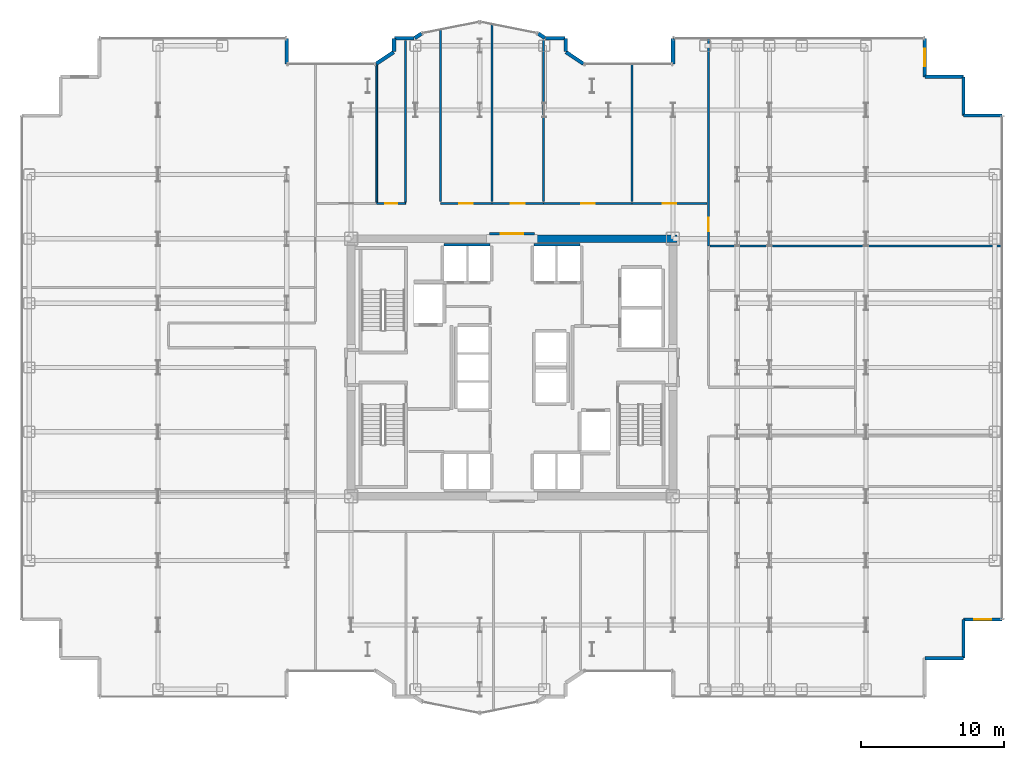
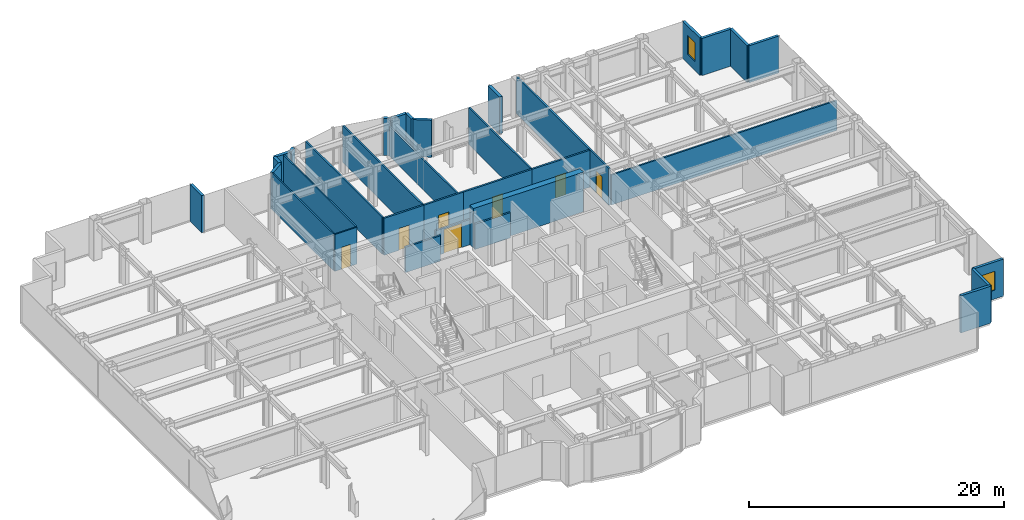
# One storey, part 24 of 26: 34 walls, 7 doors, 2 windows, 9 openings.
"""IFC4 building model written with IfcOpenShell, lengths in metres."""

from ifc_helpers import new_model, si_unit, direction, frame, frame_2d, origin, place, context, subcontext, project, spatial, rectangle, extrude, source, transform, mapped, material, layer, layer_set, type_object, element, fill, save


model = new_model("IFC4")

# Units and contexts
model_context = context("Model", 3, precision=1e-05, world=origin(), true_north=direction((0.0, 1.0)))
body_context = subcontext(model_context, "Body", "Model", "MODEL_VIEW")
ifc_project = project(units=[si_unit("LENGTHUNIT", "METRE"), si_unit("AREAUNIT", "SQUARE_METRE"), si_unit("VOLUMEUNIT", "CUBIC_METRE"), si_unit("PLANEANGLEUNIT", "RADIAN"), si_unit("MASSUNIT", "GRAM", prefix="KILO")], contexts=[model_context])

# Site, building, storey
site_placement = place(None, origin())
site = spatial("IfcSite", under=ifc_project, at=site_placement, CompositionType="ELEMENT")
building_placement = place(site_placement, origin())
building = spatial("IfcBuilding", under=site, at=building_placement, Name="Nefas-Gora Pilgrimage Tower", CompositionType="ELEMENT")
storey_placement = place(building_placement, frame((0.0, 0.0, 128.800048828125)))
storey = spatial("IfcBuildingStorey", under=building, at=storey_placement, Name="L31", CompositionType="ELEMENT", Elevation=128.800048828125)

# Walls
ifc_material_1 = material(Name="Concrete C60/75", Category="concrete")
ifc_layer_1 = layer(ifc_material_1, 0.550048828125)
ifc_layer_set_1 = layer_set([ifc_layer_1], Name="Concrete C60/75")
wall_type_1 = type_object("IfcWallType", Name="SW-CORE-550", PredefinedType="SHEAR", material=ifc_layer_set_1)
shared_shape_1 = source(origin(), body_context, "Body", "SweptSolid", [
    extrude(rectangle(XDim=9.974853515625, YDim=0.550048828125, at=frame_2d((4.9873046875, 0.0))), origin(), (0.0, 0.0, 1.0), 3.800048828125),
])
wall_1_placement = place(storey_placement, frame((1.550048828125, 9.0, 0.0), z_axis=(0.0, 0.0, 1.0), x_axis=(1.0, 0.0, 0.0)))
element("IfcWall", 1, at=wall_1_placement, inside=storey, type_object=wall_type_1, Name="L31 Core Shear Wall N-East", PredefinedType="SHEAR", context=body_context, shape_type="MappedRepresentation", body=[
    mapped(shared_shape_1, transform((0.0, 0.0, 0.0), x_axis=(1.0, 0.0, 0.0), y_axis=(0.0, 1.0, 0.0), z_axis=(0.0, 0.0, 1.0), scale=1.0)),
])
ifc_material_2 = material(Name="Precast concrete C40/50", Category="concrete")
ifc_layer_2 = layer(ifc_material_2, 0.260009765625)
ifc_layer_set_2 = layer_set([ifc_layer_2], Name="Precast concrete C40/50")
wall_type_2 = type_object("IfcWallType", Name="EW-PORTAL-260", PredefinedType="SOLIDWALL", material=ifc_layer_set_2)
shared_shape_2 = source(origin(), body_context, "Body", "SweptSolid", [
    extrude(rectangle(XDim=1.800048828125, YDim=0.260009765625, at=frame_2d((0.89990234375, 0.0))), origin(), (0.0, 0.0, 1.0), 3.550048828125),
])
for number, where, z_axis, x_axis, name in (
    (2, (11.25, 23.02001953125, 0.0), (0.0, 0.0, 1.0), (0.0, -1.0, 0.0), "L31 Lobe Shoulder Precast Spandrel Pier 10"),
    (3, (-15.75, 21.219970703125, 0.0), (0.0, 0.0, 1.0), (0.0, 1.0, 0.0), "L31 Lobe Shoulder Precast Spandrel Pier 19"),
):
    element("IfcWall", number, at=place(storey_placement, frame(where, z_axis=z_axis, x_axis=x_axis)), inside=storey, type_object=wall_type_2, Name=name, PredefinedType="SOLIDWALL", context=body_context, shape_type="MappedRepresentation", body=[
        mapped(shared_shape_2, transform((0.0, 0.0, 0.0), x_axis=(1.0, 0.0, 0.0), y_axis=(0.0, 1.0, 0.0), z_axis=(0.0, 0.0, 1.0), scale=1.0)),
    ])
ifc_material_3 = material(Name="Precast concrete C45/55", Category="concrete")
ifc_layer_3 = layer(ifc_material_3, 0.239990234375)
ifc_layer_set_3 = layer_set([ifc_layer_3], Name="Precast concrete C45/55")
wall_type_3 = type_object("IfcWallType", Name="EW-SERR-240", PredefinedType="SHEAR", material=ifc_layer_set_3)
shared_shape_3 = source(origin(), body_context, "Body", "SweptSolid", [
    extrude(rectangle(XDim=2.699951171875, YDim=0.239990234375, at=frame_2d((1.35009765625, 0.0))), origin(), (0.0, 0.0, 1.0), 3.550048828125),
])
for number, where, z_axis, x_axis, name in (
    (4, (28.8701171875, -20.320068359375, 0.0), (0.0, 0.0, 1.0), (1.0, 0.0, 0.0), "L31 Serrated Corner Shear Pier Wall 3"),
    (5, (31.570068359375, -20.320068359375, 0.0), (0.0, 0.0, 1.0), (0.0, 1.0, 0.0), "L31 Serrated Corner Shear Pier Wall 4"),
):
    element("IfcWall", number, at=place(storey_placement, frame(where, z_axis=z_axis, x_axis=x_axis)), inside=storey, type_object=wall_type_3, Name=name, PredefinedType="SHEAR", context=body_context, shape_type="MappedRepresentation", body=[
        mapped(shared_shape_3, transform((0.0, 0.0, 0.0), x_axis=(1.0, 0.0, 0.0), y_axis=(0.0, 1.0, 0.0), z_axis=(0.0, 0.0, 1.0), scale=1.0)),
    ])

# Wall, opening, window
wall_2_placement = place(storey_placement, frame((31.570068359375, -17.6201171875, 0.0), z_axis=(0.0, 0.0, 1.0), x_axis=(1.0, 0.0, 0.0)))
wall_2 = element("IfcWall", 6, at=wall_2_placement, inside=storey, type_object=wall_type_3, Name="L31 Serrated Corner Shear Pier Wall 5", PredefinedType="SHEAR", context=body_context, shape_type="MappedRepresentation", body=[
    mapped(shared_shape_3, transform((0.0, 0.0, 0.0), x_axis=(1.0, 0.0, 0.0), y_axis=(0.0, 1.0, 0.0), z_axis=(0.0, 0.0, 1.0), scale=1.0)),
])
opening_1_placement = place(wall_2_placement, frame((0.75, 0.0, 0.85009765625)))
opening_1 = element("IfcOpeningElement", 7, at=opening_1_placement, cuts=wall_2, Name="Opening W-V1", PredefinedType="OPENING", context=body_context, shape_type="SweptSolid", body=[
    extrude(rectangle(XDim=1.199951171875, YDim=1.800048828125, at=frame_2d((0.60009765625, 0.89990234375))), frame((0.0, 0.1298828125, 0.0), z_axis=(0.0, -1.0, 0.0), x_axis=(1.0, 0.0, 0.0)), (0.0, 0.0, 1.0), 0.260009765625),
])
ifc_material_4 = material(Name="Dark ceramic-fritted operable aluminium-glass window", Category="aluminium")
window_type = type_object("IfcWindowType", Name="WIN-VENT-1200x1800", PartitioningType="SINGLE_PANEL", PredefinedType="WINDOW", material=ifc_material_4)
shared_shape_4 = source(origin(), body_context, "Body", "SweptSolid", [
    extrude(rectangle(XDim=1.199951171875, YDim=1.800048828125, at=frame_2d((0.60009765625, 0.89990234375))), frame((0.0, 0.030029296875, 0.0), z_axis=(0.0, -1.0, 0.0), x_axis=(1.0, 0.0, 0.0)), (0.0, 0.0, 1.0), 0.06005859375),
])
window_1_placement = place(opening_1_placement, origin())
window_1 = element("IfcWindow", 8, at=window_1_placement, inside=storey, type_object=window_type, Name="L31 Operable Parallel-Outswing Window 5", OverallHeight=1.800048828125, OverallWidth=1.199951171875, PartitioningType="SINGLE_PANEL", PredefinedType="WINDOW", context=body_context, shape_type="MappedRepresentation", body=[
    mapped(shared_shape_4, transform((0.0, 0.0, 0.0), x_axis=(1.0, 0.0, 0.0), y_axis=(0.0, 1.0, 0.0), z_axis=(0.0, 0.0, 1.0), scale=1.0)),
])
fill(opening_1, window_1)

# Walls
for number, where, z_axis, x_axis, name in (
    (9, (34.27001953125, 17.6201171875, 0.0), (0.0, 0.0, 1.0), (-1.0, 0.0, 0.0), "L31 Serrated Corner Shear Pier Wall 6"),
    (10, (31.570068359375, 17.6201171875, 0.0), (0.0, 0.0, 1.0), (0.0, 1.0, 0.0), "L31 Serrated Corner Shear Pier Wall 7"),
    (11, (31.570068359375, 20.320068359375, 0.0), (0.0, 0.0, 1.0), (-1.0, 0.0, 0.0), "L31 Serrated Corner Shear Pier Wall 8"),
):
    element("IfcWall", number, at=place(storey_placement, frame(where, z_axis=z_axis, x_axis=x_axis)), inside=storey, type_object=wall_type_3, Name=name, PredefinedType="SHEAR", context=body_context, shape_type="MappedRepresentation", body=[
        mapped(shared_shape_3, transform((0.0, 0.0, 0.0), x_axis=(1.0, 0.0, 0.0), y_axis=(0.0, 1.0, 0.0), z_axis=(0.0, 0.0, 1.0), scale=1.0)),
    ])

# Wall, opening, window
wall_3_placement = place(storey_placement, frame((28.8701171875, 20.320068359375, 0.0), z_axis=(0.0, 0.0, 1.0), x_axis=(0.0, 1.0, 0.0)))
wall_3 = element("IfcWall", 12, at=wall_3_placement, inside=storey, type_object=wall_type_3, Name="L31 Serrated Corner Shear Pier Wall 9", PredefinedType="SHEAR", context=body_context, shape_type="MappedRepresentation", body=[
    mapped(shared_shape_3, transform((0.0, 0.0, 0.0), x_axis=(1.0, 0.0, 0.0), y_axis=(0.0, 1.0, 0.0), z_axis=(0.0, 0.0, 1.0), scale=1.0)),
])
opening_2_placement = place(wall_3_placement, frame((0.75, 0.0, 0.85009765625)))
opening_2 = element("IfcOpeningElement", 13, at=opening_2_placement, cuts=wall_3, Name="Opening W-V1", PredefinedType="OPENING", context=body_context, shape_type="SweptSolid", body=[
    extrude(rectangle(XDim=1.199951171875, YDim=1.800048828125, at=frame_2d((0.60009765625, 0.89990234375))), frame((0.0, 0.1298828125, 0.0), z_axis=(0.0, -1.0, 0.0), x_axis=(1.0, 0.0, 0.0)), (0.0, 0.0, 1.0), 0.260009765625),
])
window_2_placement = place(opening_2_placement, origin())
window_2 = element("IfcWindow", 14, at=window_2_placement, inside=storey, type_object=window_type, Name="L31 Operable Parallel-Outswing Window 9", OverallHeight=1.800048828125, OverallWidth=1.199951171875, PartitioningType="SINGLE_PANEL", PredefinedType="WINDOW", context=body_context, shape_type="MappedRepresentation", body=[
    mapped(shared_shape_4, transform((0.0, 0.0, 0.0), x_axis=(1.0, 0.0, 0.0), y_axis=(0.0, 1.0, 0.0), z_axis=(0.0, 0.0, 1.0), scale=1.0)),
])
fill(opening_2, window_2)

# Walls
shared_shape_5 = source(origin(), body_context, "Body", "SweptSolid", [
    extrude(rectangle(XDim=1.468994140625, YDim=0.260009765625, at=frame_2d((0.734375, 0.0))), origin(), (0.0, 0.0, 1.0), 3.550048828125),
])
for number, where, z_axis, x_axis, name in (
    (15, (4.99462890625, 21.235595703125, 0.0), (0.0, 0.0, 1.0), (-0.831461760506, 0.555581983884, 0.0), "L31 Lobe Shoulder Precast Spandrel Pier 11"),
    (16, (-8.273193359375, 22.0517578125, 0.0), (0.0, 0.0, 1.0), (-0.831461760506, -0.555581983884, 0.0), "L31 Lobe Shoulder Precast Spandrel Pier 18"),
):
    element("IfcWall", number, at=place(storey_placement, frame(where, z_axis=z_axis, x_axis=x_axis)), inside=storey, type_object=wall_type_2, Name=name, PredefinedType="SOLIDWALL", context=body_context, shape_type="MappedRepresentation", body=[
        mapped(shared_shape_5, transform((0.0, 0.0, 0.0), x_axis=(1.0, 0.0, 0.0), y_axis=(0.0, 1.0, 0.0), z_axis=(0.0, 0.0, 1.0), scale=1.0)),
    ])
shared_shape_6 = source(origin(), body_context, "Body", "SweptSolid", [
    extrude(rectangle(XDim=0.896728515625, YDim=0.260009765625, at=frame_2d((0.4482421875, 0.0))), origin(), (0.0, 0.0, 1.0), 3.550048828125),
])
for number, where, z_axis, x_axis, name in (
    (17, (3.75, 22.09521484375, 0.0), (0.0, 0.0, 1.0), (0.0, 1.0, 0.0), "L31 Lobe Shoulder Precast Spandrel Pier 12"),
    (18, (-8.25, 22.991943359375, 0.0), (0.0, 0.0, 1.0), (0.0, -1.0, 0.0), "L31 Lobe Shoulder Precast Spandrel Pier 17"),
):
    element("IfcWall", number, at=place(storey_placement, frame(where, z_axis=z_axis, x_axis=x_axis)), inside=storey, type_object=wall_type_2, Name=name, PredefinedType="SOLIDWALL", context=body_context, shape_type="MappedRepresentation", body=[
        mapped(shared_shape_6, transform((0.0, 0.0, 0.0), x_axis=(1.0, 0.0, 0.0), y_axis=(0.0, 1.0, 0.0), z_axis=(0.0, 0.0, 1.0), scale=1.0)),
    ])
shared_shape_7 = source(origin(), body_context, "Body", "SweptSolid", [
    extrude(rectangle(XDim=1.369873046875, YDim=0.260009765625, at=frame_2d((0.68505859375, 0.0))), origin(), (0.0, 0.0, 1.0), 3.550048828125),
])
for number, where, z_axis, x_axis, name in (
    (19, (3.721923828125, 23.02001953125, 0.0), (0.0, 0.0, 1.0), (-1.0, 0.0, 0.0), "L31 Lobe Shoulder Precast Spandrel Pier 13"),
    (20, (-6.85205078125, 23.02001953125, 0.0), (0.0, 0.0, 1.0), (-1.0, 0.0, 0.0), "L31 Lobe Shoulder Precast Spandrel Pier 16"),
):
    element("IfcWall", number, at=place(storey_placement, frame(where, z_axis=z_axis, x_axis=x_axis)), inside=storey, type_object=wall_type_2, Name=name, PredefinedType="SOLIDWALL", context=body_context, shape_type="MappedRepresentation", body=[
        mapped(shared_shape_7, transform((0.0, 0.0, 0.0), x_axis=(1.0, 0.0, 0.0), y_axis=(0.0, 1.0, 0.0), z_axis=(0.0, 0.0, 1.0), scale=1.0)),
    ])
shared_shape_8 = source(origin(), body_context, "Body", "SweptSolid", [
    extrude(rectangle(XDim=0.5654296875, YDim=0.260009765625, at=frame_2d((0.28271484375, 0.0))), origin(), (0.0, 0.0, 1.0), 3.550048828125),
])
for number, where, z_axis, x_axis, name in (
    (21, (2.30078125, 23.03564453125, 0.0), (0.0, 0.0, 1.0), (-0.831651492666, 0.555297933317, 0.0), "L31 Lobe Shoulder Precast Spandrel Pier 14"),
    (22, (-6.33056640625, 23.349609375, 0.0), (0.0, 0.0, 1.0), (-0.831651492666, -0.555297933317, 0.0), "L31 Lobe Shoulder Precast Spandrel Pier 15"),
):
    element("IfcWall", number, at=place(storey_placement, frame(where, z_axis=z_axis, x_axis=x_axis)), inside=storey, type_object=wall_type_2, Name=name, PredefinedType="SOLIDWALL", context=body_context, shape_type="MappedRepresentation", body=[
        mapped(shared_shape_8, transform((0.0, 0.0, 0.0), x_axis=(1.0, 0.0, 0.0), y_axis=(0.0, 1.0, 0.0), z_axis=(0.0, 0.0, 1.0), scale=1.0)),
    ])
ifc_material_5 = material(Name="Gypsum acoustic stud partition")
ifc_layer_4 = layer(ifc_material_5, 0.159912109375)
ifc_layer_set_4 = layer_set([ifc_layer_4], Name="Gypsum acoustic stud partition")
wall_type_4 = type_object("IfcWallType", Name="IW-CORR-160", PredefinedType="PARTITIONING", material=ifc_layer_set_4)
shared_shape_9 = source(origin(), body_context, "Body", "SweptSolid", [
    extrude(rectangle(XDim=3.199951171875, YDim=0.159912109375, at=frame_2d((1.60009765625, 0.0))), origin(), (0.0, 0.0, 1.0), 2.425048828125),
])
for number, where, z_axis, x_axis, name in (
    (23, (-1.550048828125, 8.580078125, 0.0), (0.0, 0.0, 1.0), (-1.0, 0.0, 0.0), "L31 Hoistway Wall PL1-W-N"),
    (24, (4.75, 8.580078125, 0.0), (0.0, 0.0, 1.0), (-1.0, 0.0, 0.0), "L31 Hoistway Wall PL1-E-N"),
):
    element("IfcWall", number, at=place(storey_placement, frame(where, z_axis=z_axis, x_axis=x_axis)), inside=storey, type_object=wall_type_4, Name=name, PredefinedType="PARTITIONING", context=body_context, shape_type="MappedRepresentation", body=[
        mapped(shared_shape_9, transform((0.0, 0.0, 0.0), x_axis=(1.0, 0.0, 0.0), y_axis=(0.0, 1.0, 0.0), z_axis=(0.0, 0.0, 1.0), scale=1.0)),
    ])

# Wall, opening, door
ifc_material_6 = material(Name="Moisture-resistant fire-rated gypsum partition")
ifc_layer_5 = layer(ifc_material_6, 0.1201171875)
ifc_layer_set_5 = layer_set([ifc_layer_5], Name="Moisture-resistant fire-rated gypsum partition")
wall_type_5 = type_object("IfcWallType", Name="IW-WET-120", PredefinedType="PLUMBINGWALL", material=ifc_layer_set_5)
shared_shape_10 = source(origin(), body_context, "Body", "SweptSolid", [
    extrude(rectangle(XDim=2.02001953125, YDim=0.1201171875, at=frame_2d((1.010009765625, 0.0))), origin(), (0.0, 0.0, 1.0), 3.534912109375),
])
wall_4_placement = place(storey_placement, frame((-9.4599609375, 11.469970703125, 0.0), z_axis=(0.0, 0.0, 1.0), x_axis=(1.0, 0.0, 0.0)))
wall_4 = element("IfcWall", 25, at=wall_4_placement, inside=storey, type_object=wall_type_5, Name="L31 Accessible Unisex WC Partition Wall 20", PredefinedType="PLUMBINGWALL", context=body_context, shape_type="MappedRepresentation", body=[
    mapped(shared_shape_10, transform((0.0, 0.0, 0.0), x_axis=(1.0, 0.0, 0.0), y_axis=(0.0, 1.0, 0.0), z_axis=(0.0, 0.0, 1.0), scale=1.0)),
])
opening_3_placement = place(wall_4_placement, frame((0.5849609375, 0.0, 0.0)))
opening_3 = element("IfcOpeningElement", 26, at=opening_3_placement, cuts=wall_4, Name="Opening ID-BT1", PredefinedType="OPENING", context=body_context, shape_type="SweptSolid", body=[
    extrude(rectangle(XDim=0.85009765625, YDim=2.10009765625, at=frame_2d((0.425048828125, 1.050048828125))), frame((0.0, 0.070068359375, 0.0), z_axis=(0.0, -1.0, 0.0), x_axis=(1.0, 0.0, 0.0)), (0.0, 0.0, 1.0), 0.14013671875),
])
ifc_material_7 = material(Name="Moisture-resistant fire-rated timber door", Category="wood")
door_type_1 = type_object("IfcDoorType", Name="DR-INT-BATH-850", OperationType="NOTDEFINED", PredefinedType="DOOR", material=ifc_material_7)
shared_shape_11 = source(origin(), body_context, "Body", "SweptSolid", [
    extrude(rectangle(XDim=0.85009765625, YDim=2.10009765625, at=frame_2d((0.425048828125, 1.050048828125))), frame((0.0, 0.02490234375, 0.0), z_axis=(0.0, -1.0, 0.0), x_axis=(1.0, 0.0, 0.0)), (0.0, 0.0, 1.0), 0.050048828125),
])
door_1_placement = place(opening_3_placement, origin())
door_1 = element("IfcDoor", 27, at=door_1_placement, inside=storey, type_object=door_type_1, Name="L31 Accessible Unisex WC Door 8", OperationType="SINGLE_SWING_RIGHT", OverallHeight=2.10009765625, OverallWidth=0.85009765625, PredefinedType="DOOR", context=body_context, shape_type="MappedRepresentation", body=[
    mapped(shared_shape_11, transform((0.0, 0.0, 0.0), x_axis=(1.0, 0.0, 0.0), y_axis=(0.0, 1.0, 0.0), z_axis=(0.0, 0.0, 1.0), scale=1.0)),
])
fill(opening_3, door_1)

# Walls
shared_shape_12 = source(origin(), body_context, "Body", "SweptSolid", [
    extrude(rectangle(XDim=11.280029296875, YDim=0.1201171875, at=frame_2d((5.64013671875, 0.0))), origin(), (0.0, 0.0, 1.0), 3.534912109375),
])
wall_5_placement = place(storey_placement, frame((-7.449951171875, 11.570068359375, 0.0), z_axis=(0.0, 0.0, 1.0), x_axis=(0.0, 1.0, 0.0)))
element("IfcWall", 28, at=wall_5_placement, inside=storey, type_object=wall_type_5, Name="L31 Accessible Unisex WC Partition Wall 21", PredefinedType="PLUMBINGWALL", context=body_context, shape_type="MappedRepresentation", body=[
    mapped(shared_shape_12, transform((0.0, 0.0, 0.0), x_axis=(1.0, 0.0, 0.0), y_axis=(0.0, 1.0, 0.0), z_axis=(0.0, 0.0, 1.0), scale=1.0)),
])
shared_shape_13 = source(origin(), body_context, "Body", "SweptSolid", [
    extrude(rectangle(XDim=9.586669921875, YDim=0.1201171875, at=frame_2d((4.79345703125, 0.0))), origin(), (0.0, 0.0, 1.0), 3.534912109375),
])
wall_6_placement = place(storey_placement, frame((-9.449951171875, 11.570068359375, 0.0), z_axis=(0.0, 0.0, 1.0), x_axis=(0.0, 1.0, 0.0)))
element("IfcWall", 29, at=wall_6_placement, inside=storey, type_object=wall_type_5, Name="L31 Accessible Unisex WC Partition Wall 22", PredefinedType="PLUMBINGWALL", context=body_context, shape_type="MappedRepresentation", body=[
    mapped(shared_shape_13, transform((0.0, 0.0, 0.0), x_axis=(1.0, 0.0, 0.0), y_axis=(0.0, 1.0, 0.0), z_axis=(0.0, 0.0, 1.0), scale=1.0)),
])

# Wall, opening, door
shared_shape_14 = source(origin(), body_context, "Body", "SweptSolid", [
    extrude(rectangle(XDim=14.544921875, YDim=0.159912109375, at=frame_2d((7.2724609375, 0.0))), origin(), (0.0, 0.0, 1.0), 3.534912109375),
])
wall_7_placement = place(storey_placement, frame((13.739990234375, 8.4951171875, 0.0), z_axis=(0.0, 0.0, 1.0), x_axis=(0.0, 1.0, 0.0)))
wall_7 = element("IfcWall", 30, at=wall_7_placement, inside=storey, type_object=wall_type_4, Name="L31 Pilgrim Contemplative Lounge Partition Wall 42", PredefinedType="PARTITIONING", context=body_context, shape_type="MappedRepresentation", body=[
    mapped(shared_shape_14, transform((0.0, 0.0, 0.0), x_axis=(1.0, 0.0, 0.0), y_axis=(0.0, 1.0, 0.0), z_axis=(0.0, 0.0, 1.0), scale=1.0)),
])
opening_4_placement = place(wall_7_placement, frame((1.032470703125, 0.0, 0.0)))
opening_4 = element("IfcOpeningElement", 31, at=opening_4_placement, cuts=wall_7, Name="Opening ID-GR1", PredefinedType="OPENING", context=body_context, shape_type="SweptSolid", body=[
    extrude(rectangle(XDim=0.949951171875, YDim=2.10009765625, at=frame_2d((0.47509765625, 1.050048828125))), frame((0.0, 0.08984375, 0.0), z_axis=(0.0, -1.0, 0.0), x_axis=(1.0, 0.0, 0.0)), (0.0, 0.0, 1.0), 0.179931640625),
])
ifc_material_8 = material(Name="Solid core oak fire-rated guest entrance door")
door_type_2 = type_object("IfcDoorType", Name="DR-INT-GUEST-950", OperationType="NOTDEFINED", PredefinedType="DOOR", material=ifc_material_8)
shared_shape_15 = source(origin(), body_context, "Body", "SweptSolid", [
    extrude(rectangle(XDim=0.949951171875, YDim=2.10009765625, at=frame_2d((0.47509765625, 1.050048828125))), frame((0.0, 0.02490234375, 0.0), z_axis=(0.0, -1.0, 0.0), x_axis=(1.0, 0.0, 0.0)), (0.0, 0.0, 1.0), 0.050048828125),
])
door_2_placement = place(opening_4_placement, origin())
door_2 = element("IfcDoor", 32, at=door_2_placement, inside=storey, type_object=door_type_2, Name="L31 Pilgrim Contemplative Lounge Door 17", OperationType="SINGLE_SWING_LEFT", OverallHeight=2.10009765625, OverallWidth=0.949951171875, PredefinedType="DOOR", context=body_context, shape_type="MappedRepresentation", body=[
    mapped(shared_shape_15, transform((0.0, 0.0, 0.0), x_axis=(1.0, 0.0, 0.0), y_axis=(0.0, 1.0, 0.0), z_axis=(0.0, 0.0, 1.0), scale=1.0)),
])
fill(opening_4, door_2)

# Walls
ifc_material_9 = material(Name="Gypsum twin-stud partition")
ifc_layer_6 = layer(ifc_material_9, 0.139892578125)
ifc_layer_set_6 = layer_set([ifc_layer_6], Name="Gypsum twin-stud partition")
wall_type_6 = type_object("IfcWallType", Name="IW-UNIT-140", PredefinedType="PARTITIONING", material=ifc_layer_set_6)
shared_shape_16 = source(origin(), body_context, "Body", "SweptSolid", [
    extrude(rectangle(XDim=12.056640625, YDim=0.139892578125, at=frame_2d((6.0283203125, 0.0))), origin(), (0.0, 0.0, 1.0), 3.534912109375),
])
wall_8_placement = place(storey_placement, frame((-4.9951171875, 11.590087890625, 0.0), z_axis=(0.0, 0.0, 1.0), x_axis=(0.0, 1.0, 0.0)))
element("IfcWall", 33, at=wall_8_placement, inside=storey, type_object=wall_type_6, Name="L31 Pilgrim Contemplative Lounge Partition Wall 46", PredefinedType="PARTITIONING", context=body_context, shape_type="MappedRepresentation", body=[
    mapped(shared_shape_16, transform((0.0, 0.0, 0.0), x_axis=(1.0, 0.0, 0.0), y_axis=(0.0, 1.0, 0.0), z_axis=(0.0, 0.0, 1.0), scale=1.0)),
])
shared_shape_17 = source(origin(), body_context, "Body", "SweptSolid", [
    extrude(rectangle(XDim=9.64990234375, YDim=0.139892578125, at=frame_2d((4.824951171875, 0.0))), origin(), (0.0, 0.0, 1.0), 3.534912109375),
])
wall_9_placement = place(storey_placement, frame((8.39501953125, 11.590087890625, 0.0), z_axis=(0.0, 0.0, 1.0), x_axis=(0.0, 1.0, 0.0)))
element("IfcWall", 34, at=wall_9_placement, inside=storey, type_object=wall_type_6, Name="L31 Pilgrim Contemplative Lounge Partition Wall 50", PredefinedType="PARTITIONING", context=body_context, shape_type="MappedRepresentation", body=[
    mapped(shared_shape_17, transform((0.0, 0.0, 0.0), x_axis=(1.0, 0.0, 0.0), y_axis=(0.0, 1.0, 0.0), z_axis=(0.0, 0.0, 1.0), scale=1.0)),
])

# Wall, opening, door
shared_shape_18 = source(origin(), body_context, "Body", "SweptSolid", [
    extrude(rectangle(XDim=3.60498046875, YDim=0.159912109375, at=frame_2d((1.802490234375, 0.0))), origin(), (0.0, 0.0, 1.0), 3.534912109375),
])
wall_10_placement = place(storey_placement, frame((-5.0048828125, 11.469970703125, 0.0), z_axis=(0.0, 0.0, 1.0), x_axis=(1.0, 0.0, 0.0)))
wall_10 = element("IfcWall", 35, at=wall_10_placement, inside=storey, type_object=wall_type_4, Name="L31 Pilgrim Contemplative Lounge Partition Wall 44", PredefinedType="PARTITIONING", context=body_context, shape_type="MappedRepresentation", body=[
    mapped(shared_shape_18, transform((0.0, 0.0, 0.0), x_axis=(1.0, 0.0, 0.0), y_axis=(0.0, 1.0, 0.0), z_axis=(0.0, 0.0, 1.0), scale=1.0)),
])
opening_5_placement = place(wall_10_placement, frame((1.327392578125, 0.0, 0.0)))
opening_5 = element("IfcOpeningElement", 36, at=opening_5_placement, cuts=wall_10, Name="Opening ID-GR1", PredefinedType="OPENING", context=body_context, shape_type="SweptSolid", body=[
    extrude(rectangle(XDim=0.949951171875, YDim=2.10009765625, at=frame_2d((0.47509765625, 1.050048828125))), frame((0.0, 0.08984375, 0.0), z_axis=(0.0, -1.0, 0.0), x_axis=(1.0, 0.0, 0.0)), (0.0, 0.0, 1.0), 0.179931640625),
])
door_3_placement = place(opening_5_placement, origin())
door_3 = element("IfcDoor", 37, at=door_3_placement, inside=storey, type_object=door_type_2, Name="L31 Pilgrim Contemplative Lounge Door 19", OperationType="SINGLE_SWING_LEFT", OverallHeight=2.10009765625, OverallWidth=0.949951171875, PredefinedType="DOOR", context=body_context, shape_type="MappedRepresentation", body=[
    mapped(shared_shape_15, transform((0.0, 0.0, 0.0), x_axis=(1.0, 0.0, 0.0), y_axis=(0.0, 1.0, 0.0), z_axis=(0.0, 0.0, 1.0), scale=1.0)),
])
fill(opening_5, door_3)

wall_11_placement = place(storey_placement, frame((-1.39990234375, 11.469970703125, 0.0), z_axis=(0.0, 0.0, 1.0), x_axis=(1.0, 0.0, 0.0)))
wall_11 = element("IfcWall", 38, at=wall_11_placement, inside=storey, type_object=wall_type_4, Name="L31 Pilgrim Contemplative Lounge Partition Wall 47", PredefinedType="PARTITIONING", context=body_context, shape_type="MappedRepresentation", body=[
    mapped(shared_shape_18, transform((0.0, 0.0, 0.0), x_axis=(1.0, 0.0, 0.0), y_axis=(0.0, 1.0, 0.0), z_axis=(0.0, 0.0, 1.0), scale=1.0)),
])
opening_6_placement = place(wall_11_placement, frame((1.327392578125, 0.0, 0.0)))
opening_6 = element("IfcOpeningElement", 39, at=opening_6_placement, cuts=wall_11, Name="Opening ID-GR1", PredefinedType="OPENING", context=body_context, shape_type="SweptSolid", body=[
    extrude(rectangle(XDim=0.949951171875, YDim=2.10009765625, at=frame_2d((0.47509765625, 1.050048828125))), frame((0.0, 0.08984375, 0.0), z_axis=(0.0, -1.0, 0.0), x_axis=(1.0, 0.0, 0.0)), (0.0, 0.0, 1.0), 0.179931640625),
])
door_4_placement = place(opening_6_placement, origin())
door_4 = element("IfcDoor", 40, at=door_4_placement, inside=storey, type_object=door_type_2, Name="L31 Pilgrim Contemplative Lounge Door 20", OperationType="SINGLE_SWING_RIGHT", OverallHeight=2.10009765625, OverallWidth=0.949951171875, PredefinedType="DOOR", context=body_context, shape_type="MappedRepresentation", body=[
    mapped(shared_shape_15, transform((0.0, 0.0, 0.0), x_axis=(1.0, 0.0, 0.0), y_axis=(0.0, 1.0, 0.0), z_axis=(0.0, 0.0, 1.0), scale=1.0)),
])
fill(opening_6, door_4)

shared_shape_19 = source(origin(), body_context, "Body", "SweptSolid", [
    extrude(rectangle(XDim=5.22509765625, YDim=0.159912109375, at=frame_2d((2.612548828125, 0.0))), origin(), (0.0, 0.0, 1.0), 3.534912109375),
])
wall_12_placement = place(storey_placement, frame((8.39501953125, 11.469970703125, 0.0), z_axis=(0.0, 0.0, 1.0), x_axis=(1.0, 0.0, 0.0)))
wall_12 = element("IfcWall", 41, at=wall_12_placement, inside=storey, type_object=wall_type_4, Name="L31 Pilgrim Contemplative Lounge Partition Wall 51", PredefinedType="PARTITIONING", context=body_context, shape_type="MappedRepresentation", body=[
    mapped(shared_shape_19, transform((0.0, 0.0, 0.0), x_axis=(1.0, 0.0, 0.0), y_axis=(0.0, 1.0, 0.0), z_axis=(0.0, 0.0, 1.0), scale=1.0)),
])
opening_7_placement = place(wall_12_placement, frame((2.137451171875, 0.0, 0.0)))
opening_7 = element("IfcOpeningElement", 42, at=opening_7_placement, cuts=wall_12, Name="Opening ID-GR1", PredefinedType="OPENING", context=body_context, shape_type="SweptSolid", body=[
    extrude(rectangle(XDim=0.949951171875, YDim=2.10009765625, at=frame_2d((0.47509765625, 1.050048828125))), frame((0.0, 0.08984375, 0.0), z_axis=(0.0, -1.0, 0.0), x_axis=(1.0, 0.0, 0.0)), (0.0, 0.0, 1.0), 0.179931640625),
])
door_5_placement = place(opening_7_placement, origin())
door_5 = element("IfcDoor", 43, at=door_5_placement, inside=storey, type_object=door_type_2, Name="L31 Pilgrim Contemplative Lounge Door 22", OperationType="SINGLE_SWING_RIGHT", OverallHeight=2.10009765625, OverallWidth=0.949951171875, PredefinedType="DOOR", context=body_context, shape_type="MappedRepresentation", body=[
    mapped(shared_shape_15, transform((0.0, 0.0, 0.0), x_axis=(1.0, 0.0, 0.0), y_axis=(0.0, 1.0, 0.0), z_axis=(0.0, 0.0, 1.0), scale=1.0)),
])
fill(opening_7, door_5)

shared_shape_20 = source(origin(), body_context, "Body", "SweptSolid", [
    extrude(rectangle(XDim=3.16015625, YDim=0.159912109375, at=frame_2d((1.580078125, 0.0))), origin(), (0.0, 0.0, 1.0), 2.425048828125),
])
wall_13_placement = place(storey_placement, frame((-1.580078125, 9.35009765625, 0.0), z_axis=(0.0, 0.0, 1.0), x_axis=(1.0, 0.0, 0.0)))
wall_13 = element("IfcWall", 44, at=wall_13_placement, inside=storey, type_object=wall_type_4, Name="L31 Central Lift Lobby North Portal Wall 13", PredefinedType="PARTITIONING", context=body_context, shape_type="MappedRepresentation", body=[
    mapped(shared_shape_20, transform((0.0, 0.0, 0.0), x_axis=(1.0, 0.0, 0.0), y_axis=(0.0, 1.0, 0.0), z_axis=(0.0, 0.0, 1.0), scale=1.0)),
])
opening_8_placement = place(wall_13_placement, frame((0.780029296875, 0.0, 0.0)))
opening_8 = element("IfcOpeningElement", 45, at=opening_8_placement, cuts=wall_13, Name="Opening ID-HL1", PredefinedType="OPENING", context=body_context, shape_type="SweptSolid", body=[
    extrude(rectangle(XDim=1.60009765625, YDim=2.300048828125, at=frame_2d((0.800048828125, 1.14990234375))), frame((0.0, 0.08984375, 0.0), z_axis=(0.0, -1.0, 0.0), x_axis=(1.0, 0.0, 0.0)), (0.0, 0.0, 1.0), 0.179931640625),
])
ifc_material_10 = material(Name="Double acoustic timber assembly hall door", Category="wood")
door_type_3 = type_object("IfcDoorType", Name="DR-INT-HALL-1600", OperationType="DOUBLE_DOOR_SINGLE_SWING", PredefinedType="DOOR", material=ifc_material_10)
shared_shape_21 = source(origin(), body_context, "Body", "SweptSolid", [
    extrude(rectangle(XDim=1.60009765625, YDim=2.300048828125, at=frame_2d((0.800048828125, 1.14990234375))), frame((0.0, 0.02490234375, 0.0), z_axis=(0.0, -1.0, 0.0), x_axis=(1.0, 0.0, 0.0)), (0.0, 0.0, 1.0), 0.050048828125),
])
door_6_placement = place(opening_8_placement, origin())
door_6 = element("IfcDoor", 46, at=door_6_placement, inside=storey, type_object=door_type_3, Name="L31 Central Lift Lobby North Portal Door 4", OperationType="DOUBLE_DOOR_SINGLE_SWING", OverallHeight=2.300048828125, OverallWidth=1.60009765625, PredefinedType="DOOR", context=body_context, shape_type="MappedRepresentation", body=[
    mapped(shared_shape_21, transform((0.0, 0.0, 0.0), x_axis=(1.0, 0.0, 0.0), y_axis=(0.0, 1.0, 0.0), z_axis=(0.0, 0.0, 1.0), scale=1.0)),
])
fill(opening_8, door_6)

# Walls
shared_shape_22 = source(origin(), body_context, "Body", "SweptSolid", [
    extrude(rectangle(XDim=12.435546875, YDim=0.139892578125, at=frame_2d((6.2177734375, 0.0))), origin(), (0.0, 0.0, 1.0), 3.534912109375),
])
wall_14_placement = place(storey_placement, frame((-1.409912109375, 11.590087890625, 0.0), z_axis=(0.0, 0.0, 1.0), x_axis=(0.0, 1.0, 0.0)))
element("IfcWall", 47, at=wall_14_placement, inside=storey, type_object=wall_type_6, Name="L31 Pilgrim Contemplative Lounge Partition Wall 45", PredefinedType="PARTITIONING", context=body_context, shape_type="MappedRepresentation", body=[
    mapped(shared_shape_22, transform((0.0, 0.0, 0.0), x_axis=(1.0, 0.0, 0.0), y_axis=(0.0, 1.0, 0.0), z_axis=(0.0, 0.0, 1.0), scale=1.0)),
])
shared_shape_23 = source(origin(), body_context, "Body", "SweptSolid", [
    extrude(rectangle(XDim=11.314208984375, YDim=0.139892578125, at=frame_2d((5.6572265625, 0.0))), origin(), (0.0, 0.0, 1.0), 2.875),
])
wall_15_placement = place(storey_placement, frame((2.195068359375, 11.590087890625, 0.0), z_axis=(0.0, 0.0, 1.0), x_axis=(0.0, 1.0, 0.0)))
element("IfcWall", 48, at=wall_15_placement, inside=storey, type_object=wall_type_6, Name="L31 Pilgrim Contemplative Lounge Partition Wall 48", PredefinedType="PARTITIONING", context=body_context, shape_type="MappedRepresentation", body=[
    mapped(shared_shape_23, transform((0.0, 0.0, 0.0), x_axis=(1.0, 0.0, 0.0), y_axis=(0.0, 1.0, 0.0), z_axis=(0.0, 0.0, 1.0), scale=1.0)),
])

# Wall, opening, door
shared_shape_24 = source(origin(), body_context, "Body", "SweptSolid", [
    extrude(rectangle(XDim=6.2099609375, YDim=0.159912109375, at=frame_2d((3.10498046875, 0.0))), origin(), (0.0, 0.0, 1.0), 3.534912109375),
])
wall_16_placement = place(storey_placement, frame((2.195068359375, 11.469970703125, 0.0), z_axis=(0.0, 0.0, 1.0), x_axis=(1.0, 0.0, 0.0)))
wall_16 = element("IfcWall", 49, at=wall_16_placement, inside=storey, type_object=wall_type_4, Name="L31 Pilgrim Contemplative Lounge Partition Wall 49", PredefinedType="PARTITIONING", context=body_context, shape_type="MappedRepresentation", body=[
    mapped(shared_shape_24, transform((0.0, 0.0, 0.0), x_axis=(1.0, 0.0, 0.0), y_axis=(0.0, 1.0, 0.0), z_axis=(0.0, 0.0, 1.0), scale=1.0)),
])
opening_9_placement = place(wall_16_placement, frame((2.6298828125, 0.0, 0.0)))
opening_9 = element("IfcOpeningElement", 50, at=opening_9_placement, cuts=wall_16, Name="Opening ID-GR1", PredefinedType="OPENING", context=body_context, shape_type="SweptSolid", body=[
    extrude(rectangle(XDim=0.949951171875, YDim=2.10009765625, at=frame_2d((0.47509765625, 1.050048828125))), frame((0.0, 0.08984375, 0.0), z_axis=(0.0, -1.0, 0.0), x_axis=(1.0, 0.0, 0.0)), (0.0, 0.0, 1.0), 0.179931640625),
])
door_7_placement = place(opening_9_placement, origin())
door_7 = element("IfcDoor", 51, at=door_7_placement, inside=storey, type_object=door_type_2, Name="L31 Pilgrim Contemplative Lounge Door 21", OperationType="SINGLE_SWING_LEFT", OverallHeight=2.10009765625, OverallWidth=0.949951171875, PredefinedType="DOOR", context=body_context, shape_type="MappedRepresentation", body=[
    mapped(shared_shape_15, transform((0.0, 0.0, 0.0), x_axis=(1.0, 0.0, 0.0), y_axis=(0.0, 1.0, 0.0), z_axis=(0.0, 0.0, 1.0), scale=1.0)),
])
fill(opening_9, door_7)

# Wall
shared_shape_25 = source(origin(), body_context, "Body", "SweptSolid", [
    extrude(rectangle(XDim=20.429931640625, YDim=0.139892578125, at=frame_2d((10.21484375, 0.0))), origin(), (0.0, 0.0, 1.0), 2.875),
])
wall_17_placement = place(storey_placement, frame((13.860107421875, 8.4951171875, 0.0), z_axis=(0.0, 0.0, 1.0), x_axis=(1.0, 0.0, 0.0)))
element("IfcWall", 52, at=wall_17_placement, inside=storey, type_object=wall_type_6, Name="L31 Pilgrim Fellowship Seminar Room Partition Wall 41", PredefinedType="PARTITIONING", context=body_context, shape_type="MappedRepresentation", body=[
    mapped(shared_shape_25, transform((0.0, 0.0, 0.0), x_axis=(1.0, 0.0, 0.0), y_axis=(0.0, 1.0, 0.0), z_axis=(0.0, 0.0, 1.0), scale=1.0)),
])

save(model, "model.ifc")
